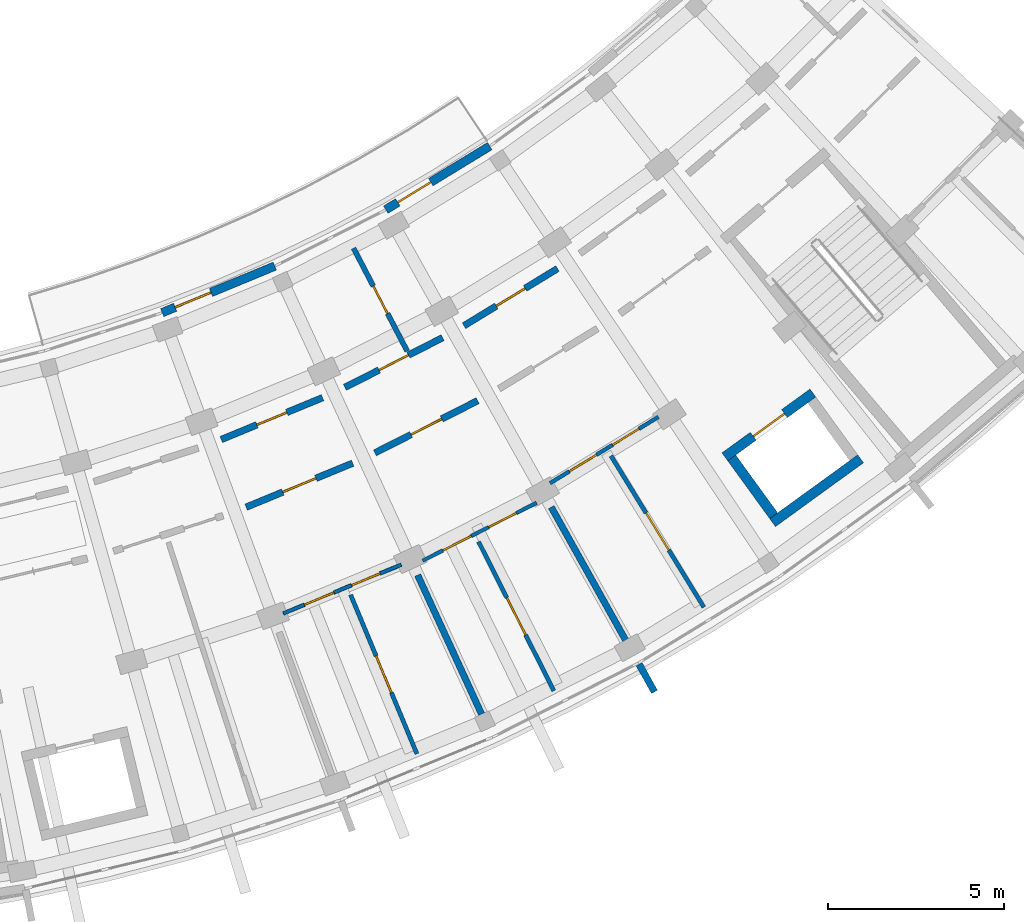
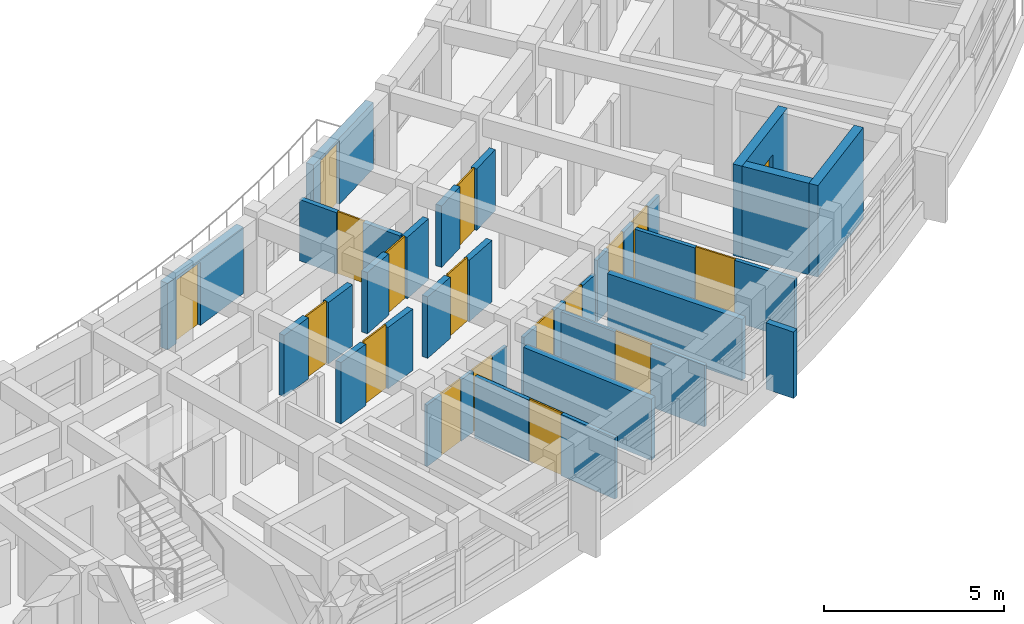
# One storey, part 38 of 56: 20 walls, 18 doors, 18 openings.
"""IFC4 building model written with IfcOpenShell, lengths in metres."""

import ifcopenshell
import ifcopenshell.guid

model = None  # the IFC model being written
_history = None  # IfcOwnerHistory: only IFC2X3 demands one
_inside = {}  # id of a spatial element -> (the spatial element, [elements in it])
_under = {}  # id of a project, library or spatial element -> (it, [spatial elements below it])
_declared = {}  # id of a project -> (the project, [libraries it declares])
_typed = {}  # id of a type object -> (the type object, [elements of that type])
_made_of = {}  # id of a material, layer set ... -> (it, [elements and type objects made of it])


def new_model(schema):
    """Start an empty IFC model of exactly this schema.

    Asked for "IFC4X3", IfcOpenShell would pick the latest addendum, in which some entities
    have other attributes; the version numbers below select the first issue.
    IFC2X3 requires an IfcOwnerHistory on every rooted entity: one is made here for all.
    """
    global model, _history
    if schema == "IFC4X3":
        model = ifcopenshell.file(schema_version=(4, 3, 0, 0))
    else:
        model = ifcopenshell.file(schema=schema)
    _inside.clear()
    _under.clear()
    _declared.clear()
    _typed.clear()
    _made_of.clear()
    _history = None
    if model.schema == "IFC2X3":
        org = make("IfcOrganization", Name="unknown")
        user = make(
            "IfcPersonAndOrganization",
            ThePerson=make("IfcPerson", FamilyName="unknown"),
            TheOrganization=org,
        )
        app = make(
            "IfcApplication",
            ApplicationDeveloper=org,
            Version="unknown",
            ApplicationFullName="unknown",
            ApplicationIdentifier="unknown",
        )
        _history = make(
            "IfcOwnerHistory",
            OwningUser=user,
            OwningApplication=app,
            ChangeAction="ADDED",
            CreationDate=0,
        )
    return model


def make(cls, **values):
    """One entity of the class cls with the attributes given. An attribute that is None is left unset."""
    return model.create_entity(
        cls, **{name: value for name, value in values.items() if value is not None}
    )


def rooted(cls, **values):
    """An entity with a GlobalId (a new one), such as an element, a storey or a relation."""
    return make(cls, GlobalId=ifcopenshell.guid.new(), OwnerHistory=_history, **values)


def si_unit(unit_type, name, prefix=None):
    """IfcSIUnit, for example si_unit("LENGTHUNIT", "METRE", prefix="MILLI")."""
    return make("IfcSIUnit", UnitType=unit_type, Prefix=prefix, Name=name)


def assignment(units):
    """IfcUnitAssignment: the units of a project."""
    return None if units is None else make("IfcUnitAssignment", Units=units)


def point(xyz):
    """IfcCartesianPoint."""
    return None if xyz is None else make("IfcCartesianPoint", Coordinates=xyz)


def direction(xyz):
    """IfcDirection."""
    return None if xyz is None else make("IfcDirection", DirectionRatios=xyz)


def frame(location, z_axis=None, x_axis=None):
    """IfcAxis2Placement3D, a coordinate frame: its origin and axes. An axis left out is left unset."""
    return make(
        "IfcAxis2Placement3D",
        Location=point(location),
        Axis=direction(z_axis),
        RefDirection=direction(x_axis),
    )


def frame_2d(location, x_axis=None):
    """IfcAxis2Placement2D, a coordinate frame in the plane: its origin and x axis."""
    return make(
        "IfcAxis2Placement2D", Location=point(location), RefDirection=direction(x_axis)
    )


def origin():
    """The frame at (0, 0, 0) with its axes left unset."""
    return frame((0.0, 0.0, 0.0))


def place(relative_to, where):
    """IfcLocalPlacement: puts the frame where relative to a parent placement (None: the world)."""
    return make(
        "IfcLocalPlacement", PlacementRelTo=relative_to, RelativePlacement=where
    )


def context(
    kind, dimensions, precision=None, world=None, true_north=None, identifier=None
):
    """IfcGeometricRepresentationContext, for example the 3D "Model" context."""
    return make(
        "IfcGeometricRepresentationContext",
        ContextIdentifier=identifier,
        ContextType=kind,
        CoordinateSpaceDimension=dimensions,
        Precision=precision,
        WorldCoordinateSystem=world,
        TrueNorth=true_north,
    )


def subcontext(parent, identifier, kind, view, scale=None):
    """IfcGeometricRepresentationSubContext, for example "Body" below "Model"."""
    return make(
        "IfcGeometricRepresentationSubContext",
        ContextIdentifier=identifier,
        ContextType=kind,
        ParentContext=parent,
        TargetScale=scale,
        TargetView=view,
    )


def project(units=None, contexts=None):
    """IfcProject with its units and contexts."""
    return rooted(
        "IfcProject",
        Name="project",
        RepresentationContexts=contexts,
        UnitsInContext=assignment(units),
    )


def spatial(cls, under=None, at=None, **own):
    """A site, building, storey or space (cls), placed at a placement, below another one or the project."""
    s = rooted(cls, ObjectPlacement=at, **own)
    if under is not None:
        _under.setdefault(under.id(), (under, []))[1].append(s)
    return s


def profile(cls, at=None, kind="AREA", **sizes):
    """A parametric profile (cls). Its sizes go by their IFC names, for example OverallWidth=200.0."""
    return make(cls, ProfileType=kind, Position=at, **sizes)


def rectangle(**sizes):
    """IfcRectangleProfileDef."""
    return profile("IfcRectangleProfileDef", **sizes)


def extrude(swept, where, along, depth):
    """IfcExtrudedAreaSolid: the profile swept, set in the frame where, extruded along a direction by depth."""
    return make(
        "IfcExtrudedAreaSolid",
        SweptArea=swept,
        Position=where,
        ExtrudedDirection=direction(along),
        Depth=depth,
    )


def shape(context_of_items, identifier, shape_type, items):
    """IfcShapeRepresentation: the items that make up one representation, for example the "Body"."""
    return make(
        "IfcShapeRepresentation",
        ContextOfItems=context_of_items,
        RepresentationIdentifier=identifier,
        RepresentationType=shape_type,
        Items=items,
    )


def material(Name=None, Category=None):
    """IfcMaterial."""
    return make("IfcMaterial", Name=Name, Category=Category)


def layer(
    of_material, thickness, ventilated=None, Name=None, Category=None, Priority=None
):
    """IfcMaterialLayer: one layer of a wall or slab, of a material (None: an air gap)."""
    return make(
        "IfcMaterialLayer",
        Material=of_material,
        LayerThickness=thickness,
        IsVentilated=ventilated,
        Name=Name,
        Category=Category,
        Priority=Priority,
    )


def layer_set(layers, Name=None):
    """IfcMaterialLayerSet."""
    return make("IfcMaterialLayerSet", MaterialLayers=layers, LayerSetName=Name)


def made_of(thing, what):
    """Note that an element or type object is made of a material, layer set ...; save() writes the relation."""
    if what is not None:
        _made_of.setdefault(what.id(), (what, []))[1].append(thing)
    return thing


def type_object(cls, material=None, **own):
    """A type object (cls), such as IfcWallType, which elements share."""
    return made_of(rooted(cls, **own), material)


def element(
    cls,
    number,
    at=None,
    inside=None,
    cuts=None,
    type_object=None,
    material=None,
    context=None,
    identifier="Body",
    shape_type=None,
    held_by="IfcProductDefinitionShape",
    body=None,
    shapes=None,
    **own,
):
    """One element of the class cls, such as IfcWall. Its Tag is "e" and its number.

    at: its placement. inside: the storey or other place that contains it. cuts: it is an
    opening in that element (IfcRelVoidsElement). A single representation is given by context,
    identifier, shape_type and body (its items); several are given by shapes. held_by: the class
    of the entity that holds the representations. save() writes the other relations.
    """
    e = rooted(cls, Tag="e%d" % number, ObjectPlacement=at, **own)
    if body is not None:
        shapes = [shape(context, identifier, shape_type, body)]
    if shapes is not None:
        e.Representation = make(held_by, Representations=shapes)
    if inside is not None:
        _inside.setdefault(inside.id(), (inside, []))[1].append(e)
    if cuts is not None:
        rooted(
            "IfcRelVoidsElement", RelatingBuildingElement=cuts, RelatedOpeningElement=e
        )
    if type_object is not None:
        _typed.setdefault(type_object.id(), (type_object, []))[1].append(e)
    return made_of(e, material)


def fill(opening, filler):
    """IfcRelFillsElement: the door or window that sits in an opening."""
    return rooted(
        "IfcRelFillsElement",
        RelatingOpeningElement=opening,
        RelatedBuildingElement=filler,
    )


def aggregate(whole, parts):
    """IfcRelAggregates: a whole, such as a stair, and the parts it consists of."""
    return rooted("IfcRelAggregates", RelatingObject=whole, RelatedObjects=parts)


def save(model, path):
    """Write the relations noted so far, then the file.

    IfcRelAggregates (storeys below a building ...), IfcRelContainedInSpatialStructure (elements
    in a storey), IfcRelDefinesByType, IfcRelAssociatesMaterial and IfcRelDeclares: one each for
    every whole, place, type object, material and project.
    """
    for whole, parts in _under.values():
        aggregate(whole, parts)
    for where, things in _inside.values():
        rooted(
            "IfcRelContainedInSpatialStructure",
            RelatedElements=things,
            RelatingStructure=where,
        )
    for kind, things in _typed.values():
        rooted("IfcRelDefinesByType", RelatedObjects=things, RelatingType=kind)
    for what, things in _made_of.values():
        rooted("IfcRelAssociatesMaterial", RelatedObjects=things, RelatingMaterial=what)
    for by, libraries in _declared.values():
        rooted("IfcRelDeclares", RelatingContext=by, RelatedDefinitions=libraries)
    model.write(path)


model = new_model("IFC4")

# Units and contexts
model_context = context("Model", 3, precision=1e-05, world=origin(), true_north=direction((0.0, 1.0)))
body_context = subcontext(model_context, "Body", "Model", "MODEL_VIEW")
ifc_project = project(units=[si_unit("LENGTHUNIT", "METRE"), si_unit("AREAUNIT", "SQUARE_METRE"), si_unit("VOLUMEUNIT", "CUBIC_METRE"), si_unit("PLANEANGLEUNIT", "RADIAN"), si_unit("MASSUNIT", "GRAM", prefix="KILO")], contexts=[model_context])

# Site, building, storey
site_placement = place(None, origin())
site = spatial("IfcSite", under=ifc_project, at=site_placement, CompositionType="ELEMENT")
building_placement = place(site_placement, origin())
building = spatial("IfcBuilding", under=site, at=building_placement, Name="Zimvara Arc Housing Community", CompositionType="ELEMENT")
storey_placement = place(building_placement, frame((0.0, 0.0, 17.39990234375)))
storey = spatial("IfcBuildingStorey", under=building, at=storey_placement, Name="L05", CompositionType="ELEMENT", Elevation=17.39990234375)

# Wall
ifc_material_1 = material(Name="Board-Marked Fair-Faced Concrete C35/45", Category="concrete")
ifc_layer_1 = layer(ifc_material_1, 0.195068359375)
ifc_layer_set_1 = layer_set([ifc_layer_1], Name="Board-Marked Fair-Faced Concrete C35/45")
wall_type_1 = type_object("IfcWallType", Name="EWL-PARA-195", PredefinedType="PARAPET", material=ifc_layer_set_1)
wall_1_placement = place(storey_placement, frame((154.968505859375, 57.990966796875, 0.0), z_axis=(0.0, 0.0, 1.0), x_axis=(0.487967253808, -0.872861935939, 0.0)))
element("IfcWall", 1, at=wall_1_placement, inside=storey, type_object=wall_type_1, Name="finwall:blkD:L05:out:b6", PredefinedType="PARAPET", context=body_context, shape_type="SweptSolid", body=[
    extrude(rectangle(XDim=0.900146484375, YDim=0.195068359375, at=frame_2d((0.4501953125, 0.0))), origin(), (0.0, 0.0, 1.0), 2.25),
])

# Wall, opening, door
ifc_material_2 = material(Name="Pigmented Fair-Faced Concrete C35/45", Category="concrete")
ifc_layer_2 = layer(ifc_material_2, 0.2451171875)
ifc_layer_set_2 = layer_set([ifc_layer_2], Name="Pigmented Fair-Faced Concrete C35/45")
wall_type_2 = type_object("IfcWallType", Name="EWL-PIGM-245", PredefinedType="SOLIDWALL", material=ifc_layer_set_2)
wall_2_placement = place(storey_placement, frame((141.40576171875, 67.9921875, 0.0), z_axis=(0.0, 0.0, 1.0), x_axis=(0.924221949388, 0.381855716561, 0.0)))
wall_2 = element("IfcWall", 2, at=wall_2_placement, inside=storey, type_object=wall_type_2, Name="ewall:blkD:L05:in:b4", PredefinedType="SOLIDWALL", context=body_context, shape_type="SweptSolid", body=[
    extrude(rectangle(XDim=3.46337890625, YDim=0.2451171875, at=frame_2d((1.731689453125, 0.0))), origin(), (0.0, 0.0, 1.0), 2.25),
])
opening_1_placement = place(wall_2_placement, frame((0.39990234375, 0.0, 0.0)))
opening_1 = element("IfcOpeningElement", 3, at=opening_1_placement, cuts=wall_2, Name="Opening ED06", PredefinedType="OPENING", context=body_context, shape_type="SweptSolid", body=[
    extrude(rectangle(XDim=1.10009765625, YDim=2.14990234375, at=frame_2d((0.550048828125, 1.074951171875))), frame((0.0, 0.132568359375, 0.0), z_axis=(0.0, -1.0, 0.0), x_axis=(1.0, 0.0, 0.0)), (0.0, 0.0, 1.0), 0.26513671875),
])
ifc_material_3 = material(Name="Anodised Aluminium AW-6063", Category="aluminium")
door_type_1 = type_object("IfcDoorType", Name="EDR-TERR-1100x2150", OperationType="NOTDEFINED", PredefinedType="DOOR", material=ifc_material_3)
door_1_placement = place(opening_1_placement, origin())
door_1 = element("IfcDoor", 4, at=door_1_placement, inside=storey, type_object=door_type_1, Name="edoor:blkD:L05:bal_in:b4", OperationType="SINGLE_SWING_RIGHT", OverallHeight=2.14990234375, OverallWidth=1.10009765625, PredefinedType="DOOR", context=body_context, shape_type="SweptSolid", body=[
    extrude(rectangle(XDim=1.10009765625, YDim=2.14990234375, at=frame_2d((0.550048828125, 1.074951171875))), frame((0.0, 0.02490234375, 0.0), z_axis=(0.0, -1.0, 0.0), x_axis=(1.0, 0.0, 0.0)), (0.0, 0.0, 1.0), 0.050048828125),
])
fill(opening_1, door_1)

wall_3_placement = place(storey_placement, frame((147.765380859375, 70.920654296875, 0.0), z_axis=(0.0, 0.0, 1.0), x_axis=(0.85310231885, 0.521743647371, 0.0)))
wall_3 = element("IfcWall", 5, at=wall_3_placement, inside=storey, type_object=wall_type_2, Name="ewall:blkD:L05:in:b6", PredefinedType="SOLIDWALL", context=body_context, shape_type="SweptSolid", body=[
    extrude(rectangle(XDim=3.463623046875, YDim=0.2451171875, at=frame_2d((1.73193359375, 0.0))), origin(), (0.0, 0.0, 1.0), 2.25),
])
opening_2_placement = place(wall_3_placement, frame((0.39990234375, 0.0, 0.0)))
opening_2 = element("IfcOpeningElement", 6, at=opening_2_placement, cuts=wall_3, Name="Opening ED06", PredefinedType="OPENING", context=body_context, shape_type="SweptSolid", body=[
    extrude(rectangle(XDim=1.10009765625, YDim=2.14990234375, at=frame_2d((0.550048828125, 1.074951171875))), frame((0.0, 0.132568359375, 0.0), z_axis=(0.0, -1.0, 0.0), x_axis=(1.0, 0.0, 0.0)), (0.0, 0.0, 1.0), 0.26513671875),
])
door_2_placement = place(opening_2_placement, origin())
door_2 = element("IfcDoor", 7, at=door_2_placement, inside=storey, type_object=door_type_1, Name="edoor:blkD:L05:bal_in:b6", OperationType="SINGLE_SWING_RIGHT", OverallHeight=2.14990234375, OverallWidth=1.10009765625, PredefinedType="DOOR", context=body_context, shape_type="SweptSolid", body=[
    extrude(rectangle(XDim=1.10009765625, YDim=2.14990234375, at=frame_2d((0.550048828125, 1.074951171875))), frame((0.0, 0.02490234375, 0.0), z_axis=(0.0, -1.0, 0.0), x_axis=(1.0, 0.0, 0.0)), (0.0, 0.0, 1.0), 0.050048828125),
])
fill(opening_2, door_2)

ifc_material_4 = material(Name="Concrete C35/45", Category="concrete")
ifc_layer_3 = layer(ifc_material_4, 0.18994140625)
ifc_layer_set_3 = layer_set([ifc_layer_3], Name="Concrete C35/45")
wall_type_3 = type_object("IfcWallType", Name="IWL-CORR-190", PredefinedType="SOLIDWALL", material=ifc_layer_set_3)
wall_4_placement = place(storey_placement, frame((143.792724609375, 62.458984375, 0.0), z_axis=(0.0, 0.0, 1.0), x_axis=(0.924214561665, 0.381873596896, 0.0)))
wall_4 = element("IfcWall", 8, at=wall_4_placement, inside=storey, type_object=wall_type_3, Name="iwall:blkD:L05:corr_out:b4", PredefinedType="SOLIDWALL", context=body_context, shape_type="SweptSolid", body=[
    extrude(rectangle(XDim=3.277099609375, YDim=0.18994140625, at=frame_2d((1.638671875, 0.0))), origin(), (0.0, 0.0, 1.0), 2.080078125),
])
opening_3_placement = place(wall_4_placement, frame((1.12841796875, 0.0, 0.0)))
opening_3 = element("IfcOpeningElement", 9, at=opening_3_placement, cuts=wall_4, Name="Opening FD-FL2", PredefinedType="OPENING", context=body_context, shape_type="SweptSolid", body=[
    extrude(rectangle(XDim=1.02001953125, YDim=2.14990234375, at=frame_2d((0.510009765625, 1.074951171875))), frame((0.0, 0.10498046875, 0.0), z_axis=(0.0, -1.0, 0.0), x_axis=(1.0, 0.0, 0.0)), (0.0, 0.0, 1.0), 0.2099609375),
])
ifc_material_5 = material(Name="Mozambican Hardwood", Category="wood")
door_type_2 = type_object("IfcDoorType", Name="IDR-FLAT-1020x2150", OperationType="NOTDEFINED", PredefinedType="DOOR", material=ifc_material_5)
door_3_placement = place(opening_3_placement, origin())
door_3 = element("IfcDoor", 10, at=door_3_placement, inside=storey, type_object=door_type_2, Name="idoor:blkD:L05:flat:b4", OperationType="SINGLE_SWING_RIGHT", OverallHeight=2.14990234375, OverallWidth=1.02001953125, PredefinedType="DOOR", context=body_context, shape_type="SweptSolid", body=[
    extrude(rectangle(XDim=1.02001953125, YDim=2.14990234375, at=frame_2d((0.510009765625, 1.074951171875))), frame((0.0, 0.02490234375, 0.0), z_axis=(0.0, -1.0, 0.0), x_axis=(1.0, 0.0, 0.0)), (0.0, 0.0, 1.0), 0.050048828125),
])
fill(opening_3, door_3)

wall_5_placement = place(storey_placement, frame((143.0849609375, 64.3828125, 0.0), z_axis=(0.0, 0.0, 1.0), x_axis=(0.924213340202, 0.381876553081, 0.0)))
wall_5 = element("IfcWall", 11, at=wall_5_placement, inside=storey, type_object=wall_type_3, Name="iwall:blkD:L05:corr_in:b4", PredefinedType="SOLIDWALL", context=body_context, shape_type="SweptSolid", body=[
    extrude(rectangle(XDim=3.115966796875, YDim=0.18994140625, at=frame_2d((1.55810546875, 0.0))), origin(), (0.0, 0.0, 1.0), 2.080078125),
])
opening_4_placement = place(wall_5_placement, frame((1.097900390625, 0.0, 0.0)))
opening_4 = element("IfcOpeningElement", 12, at=opening_4_placement, cuts=wall_5, Name="Opening D02", PredefinedType="OPENING", context=body_context, shape_type="SweptSolid", body=[
    extrude(rectangle(XDim=0.919921875, YDim=2.10009765625, at=frame_2d((0.4599609375, 1.050048828125))), frame((0.0, 0.10498046875, 0.0), z_axis=(0.0, -1.0, 0.0), x_axis=(1.0, 0.0, 0.0)), (0.0, 0.0, 1.0), 0.2099609375),
])
ifc_material_6 = material(Name="Mozambican Hardwood", Category="wood")
door_type_3 = type_object("IfcDoorType", Name="IDR-RM-0920x2100", OperationType="NOTDEFINED", PredefinedType="DOOR", material=ifc_material_6)
door_4_placement = place(opening_4_placement, origin())
door_4 = element("IfcDoor", 13, at=door_4_placement, inside=storey, type_object=door_type_3, Name="idoor:blkD:L05:in_rm:b4", OperationType="SINGLE_SWING_LEFT", OverallHeight=2.10009765625, OverallWidth=0.919921875, PredefinedType="DOOR", context=body_context, shape_type="SweptSolid", body=[
    extrude(rectangle(XDim=0.919921875, YDim=2.10009765625, at=frame_2d((0.4599609375, 1.050048828125))), frame((0.0, 0.02490234375, 0.0), z_axis=(0.0, -1.0, 0.0), x_axis=(1.0, 0.0, 0.0)), (0.0, 0.0, 1.0), 0.050048828125),
])
fill(opening_4, door_4)

wall_6_placement = place(storey_placement, frame((147.45703125, 64.002685546875, 0.0), z_axis=(0.0, 0.0, 1.0), x_axis=(0.891412167565, 0.45319349898, 0.0)))
wall_6 = element("IfcWall", 14, at=wall_6_placement, inside=storey, type_object=wall_type_3, Name="iwall:blkD:L05:corr_out:b5", PredefinedType="SOLIDWALL", context=body_context, shape_type="SweptSolid", body=[
    extrude(rectangle(XDim=3.277099609375, YDim=0.18994140625, at=frame_2d((1.638671875, 0.0))), origin(), (0.0, 0.0, 1.0), 2.080078125),
])
opening_5_placement = place(wall_6_placement, frame((1.1484375, 0.0, 0.0)))
opening_5 = element("IfcOpeningElement", 15, at=opening_5_placement, cuts=wall_6, Name="Opening FD-FL1", PredefinedType="OPENING", context=body_context, shape_type="SweptSolid", body=[
    extrude(rectangle(XDim=0.97998046875, YDim=2.14990234375, at=frame_2d((0.489990234375, 1.074951171875))), frame((0.0, 0.10498046875, 0.0), z_axis=(0.0, -1.0, 0.0), x_axis=(1.0, 0.0, 0.0)), (0.0, 0.0, 1.0), 0.2099609375),
])
ifc_material_7 = material(Name="Mozambican Hardwood", Category="wood")
door_type_4 = type_object("IfcDoorType", Name="IDR-FLAT-0980x2150", OperationType="NOTDEFINED", PredefinedType="DOOR", material=ifc_material_7)
door_5_placement = place(opening_5_placement, origin())
door_5 = element("IfcDoor", 16, at=door_5_placement, inside=storey, type_object=door_type_4, Name="idoor:blkD:L05:flat:b5", OperationType="SINGLE_SWING_LEFT", OverallHeight=2.14990234375, OverallWidth=0.97998046875, PredefinedType="DOOR", context=body_context, shape_type="SweptSolid", body=[
    extrude(rectangle(XDim=0.97998046875, YDim=2.14990234375, at=frame_2d((0.489990234375, 1.074951171875))), frame((0.0, 0.02490234375, 0.0), z_axis=(0.0, -1.0, 0.0), x_axis=(1.0, 0.0, 0.0)), (0.0, 0.0, 1.0), 0.050048828125),
])
fill(opening_5, door_5)

wall_7_placement = place(storey_placement, frame((146.600341796875, 65.865234375, 0.0), z_axis=(0.0, 0.0, 1.0), x_axis=(0.891414101388, 0.453189695212, 0.0)))
wall_7 = element("IfcWall", 17, at=wall_7_placement, inside=storey, type_object=wall_type_3, Name="iwall:blkD:L05:corr_in:b5", PredefinedType="SOLIDWALL", context=body_context, shape_type="SweptSolid", body=[
    extrude(rectangle(XDim=3.115966796875, YDim=0.18994140625, at=frame_2d((1.55810546875, 0.0))), origin(), (0.0, 0.0, 1.0), 2.080078125),
])
opening_6_placement = place(wall_7_placement, frame((1.087890625, 0.0, 0.0)))
opening_6 = element("IfcOpeningElement", 18, at=opening_6_placement, cuts=wall_7, Name="Opening D03", PredefinedType="OPENING", context=body_context, shape_type="SweptSolid", body=[
    extrude(rectangle(XDim=0.93994140625, YDim=2.10009765625, at=frame_2d((0.469970703125, 1.050048828125))), frame((0.0, 0.10498046875, 0.0), z_axis=(0.0, -1.0, 0.0), x_axis=(1.0, 0.0, 0.0)), (0.0, 0.0, 1.0), 0.2099609375),
])
ifc_material_8 = material(Name="Mozambican Hardwood", Category="wood")
door_type_5 = type_object("IfcDoorType", Name="IDR-RM-0940x2100", OperationType="NOTDEFINED", PredefinedType="DOOR", material=ifc_material_8)
door_6_placement = place(opening_6_placement, origin())
door_6 = element("IfcDoor", 19, at=door_6_placement, inside=storey, type_object=door_type_5, Name="idoor:blkD:L05:in_rm:b5", OperationType="SINGLE_SWING_RIGHT", OverallHeight=2.10009765625, OverallWidth=0.93994140625, PredefinedType="DOOR", context=body_context, shape_type="SweptSolid", body=[
    extrude(rectangle(XDim=0.93994140625, YDim=2.10009765625, at=frame_2d((0.469970703125, 1.050048828125))), frame((0.0, 0.02490234375, 0.0), z_axis=(0.0, -1.0, 0.0), x_axis=(1.0, 0.0, 0.0)), (0.0, 0.0, 1.0), 0.050048828125),
])
fill(opening_6, door_6)

wall_8_placement = place(storey_placement, frame((149.988525390625, 67.61865234375, 0.0), z_axis=(0.0, 0.0, 1.0), x_axis=(0.853121049608, 0.5217130195, 0.0)))
wall_8 = element("IfcWall", 20, at=wall_8_placement, inside=storey, type_object=wall_type_3, Name="iwall:blkD:L05:corr_in:b6", PredefinedType="SOLIDWALL", context=body_context, shape_type="SweptSolid", body=[
    extrude(rectangle(XDim=3.1162109375, YDim=0.18994140625, at=frame_2d((1.55810546875, 0.0))), origin(), (0.0, 0.0, 1.0), 2.080078125),
])
opening_7_placement = place(wall_8_placement, frame((1.077880859375, 0.0, 0.0)))
opening_7 = element("IfcOpeningElement", 21, at=opening_7_placement, cuts=wall_8, Name="Opening D04", PredefinedType="OPENING", context=body_context, shape_type="SweptSolid", body=[
    extrude(rectangle(XDim=0.9599609375, YDim=2.10009765625, at=frame_2d((0.47998046875, 1.050048828125))), frame((0.0, 0.10498046875, 0.0), z_axis=(0.0, -1.0, 0.0), x_axis=(1.0, 0.0, 0.0)), (0.0, 0.0, 1.0), 0.2099609375),
])
ifc_material_9 = material(Name="Mozambican Hardwood", Category="wood")
door_type_6 = type_object("IfcDoorType", Name="IDR-RM-0960x2100", OperationType="NOTDEFINED", PredefinedType="DOOR", material=ifc_material_9)
door_7_placement = place(opening_7_placement, origin())
door_7 = element("IfcDoor", 22, at=door_7_placement, inside=storey, type_object=door_type_6, Name="idoor:blkD:L05:in_rm:b6", OperationType="SINGLE_SWING_RIGHT", OverallHeight=2.10009765625, OverallWidth=0.9599609375, PredefinedType="DOOR", context=body_context, shape_type="SweptSolid", body=[
    extrude(rectangle(XDim=0.9599609375, YDim=2.10009765625, at=frame_2d((0.47998046875, 1.050048828125))), frame((0.0, 0.02490234375, 0.0), z_axis=(0.0, -1.0, 0.0), x_axis=(1.0, 0.0, 0.0)), (0.0, 0.0, 1.0), 0.050048828125),
])
fill(opening_7, door_7)

# Walls
ifc_material_10 = material(Name="Concrete C35/45", Category="concrete")
ifc_layer_4 = layer(ifc_material_10, 0.18505859375)
ifc_layer_set_4 = layer_set([ifc_layer_4], Name="Concrete C35/45")
wall_type_4 = type_object("IfcWallType", Name="IWL-FLAT-185", PredefinedType="SOLIDWALL", material=ifc_layer_set_4)
for number, where, z_axis, x_axis, name in (
    (23, (148.670166015625, 60.528076171875, 0.0), (0.0, 0.0, 1.0), (0.417837051164, -0.908521985796, 0.0), "iwall:blkD:L05:party:b5"),
    (24, (152.470703125, 62.46044921875, 0.0), (0.0, 0.0, 1.0), (0.487866639184, -0.872918176218, 0.0), "iwall:blkD:L05:party:b6"),
):
    element("IfcWall", number, at=place(storey_placement, frame(where, z_axis=z_axis, x_axis=x_axis)), inside=storey, type_object=wall_type_4, Name=name, PredefinedType="SOLIDWALL", context=body_context, shape_type="SweptSolid", body=[
        extrude(rectangle(XDim=4.35009765625, YDim=0.18505859375, at=frame_2d((2.175048828125, 0.0))), origin(), (0.0, 0.0, 1.0), 2.080078125),
    ])

# Wall, openings, doors
ifc_material_11 = material(Name="Painted Acoustic Plasterboard")
ifc_layer_5 = layer(ifc_material_11, 0.10009765625)
ifc_layer_set_5 = layer_set([ifc_layer_5], Name="Painted Acoustic Plasterboard")
wall_type_5 = type_object("IfcWallType", Name="IWL-PART-100", PredefinedType="PARTITIONING", material=ifc_layer_set_5)
wall_9_placement = place(storey_placement, frame((144.8515625, 59.436767578125, 0.0), z_axis=(0.0, 0.0, 1.0), x_axis=(0.924217547919, 0.381866369453, 0.0)))
wall_9 = element("IfcWall", 25, at=wall_9_placement, inside=storey, type_object=wall_type_5, Name="iwall:blkD:L05:srv:b4", PredefinedType="PARTITIONING", context=body_context, shape_type="SweptSolid", body=[
    extrude(rectangle(XDim=3.628173828125, YDim=0.10009765625, at=frame_2d((1.81396484375, 0.0))), origin(), (0.0, 0.0, 1.0), 2.080078125),
])
opening_8_placement = place(wall_9_placement, frame((0.64990234375, 0.0, 0.0)))
opening_8 = element("IfcOpeningElement", 26, at=opening_8_placement, cuts=wall_9, Name="Opening D01", PredefinedType="OPENING", context=body_context, shape_type="SweptSolid", body=[
    extrude(rectangle(XDim=0.89990234375, YDim=2.10009765625, at=frame_2d((0.449951171875, 1.050048828125))), frame((0.0, 0.06005859375, 0.0), z_axis=(0.0, -1.0, 0.0), x_axis=(1.0, 0.0, 0.0)), (0.0, 0.0, 1.0), 0.1201171875),
])
opening_9_placement = place(wall_9_placement, frame((2.098388671875, 0.0, 0.0)))
opening_9 = element("IfcOpeningElement", 27, at=opening_9_placement, cuts=wall_9, Name="Opening D05", PredefinedType="OPENING", context=body_context, shape_type="SweptSolid", body=[
    extrude(rectangle(XDim=0.8798828125, YDim=2.10009765625, at=frame_2d((0.43994140625, 1.050048828125))), frame((0.0, 0.06005859375, 0.0), z_axis=(0.0, -1.0, 0.0), x_axis=(1.0, 0.0, 0.0)), (0.0, 0.0, 1.0), 0.1201171875),
])
ifc_material_12 = material(Name="Mozambican Hardwood", Category="wood")
door_type_7 = type_object("IfcDoorType", Name="IDR-RM-0900x2100", OperationType="NOTDEFINED", PredefinedType="DOOR", material=ifc_material_12)
door_8_placement = place(opening_8_placement, origin())
door_8 = element("IfcDoor", 28, at=door_8_placement, inside=storey, type_object=door_type_7, Name="idoor:blkD:L05:kit_liv:b4", OperationType="SINGLE_SWING_RIGHT", OverallHeight=2.10009765625, OverallWidth=0.89990234375, PredefinedType="DOOR", context=body_context, shape_type="SweptSolid", body=[
    extrude(rectangle(XDim=0.89990234375, YDim=2.10009765625, at=frame_2d((0.449951171875, 1.050048828125))), frame((0.0, 0.02490234375, 0.0), z_axis=(0.0, -1.0, 0.0), x_axis=(1.0, 0.0, 0.0)), (0.0, 0.0, 1.0), 0.050048828125),
])
fill(opening_8, door_8)
ifc_material_13 = material(Name="Mozambican Hardwood", Category="wood")
door_type_8 = type_object("IfcDoorType", Name="IDR-WC-0880x2100", OperationType="NOTDEFINED", PredefinedType="DOOR", material=ifc_material_13)
door_9_placement = place(opening_9_placement, origin())
door_9 = element("IfcDoor", 29, at=door_9_placement, inside=storey, type_object=door_type_8, Name="idoor:blkD:L05:bath_d:b4", OperationType="SINGLE_SWING_LEFT", OverallHeight=2.10009765625, OverallWidth=0.8798828125, PredefinedType="DOOR", context=body_context, shape_type="SweptSolid", body=[
    extrude(rectangle(XDim=0.8798828125, YDim=2.10009765625, at=frame_2d((0.43994140625, 1.050048828125))), frame((0.0, 0.02490234375, 0.0), z_axis=(0.0, -1.0, 0.0), x_axis=(1.0, 0.0, 0.0)), (0.0, 0.0, 1.0), 0.050048828125),
])
fill(opening_9, door_9)

ifc_material_14 = material(Name="Painted Acoustic Plasterboard")
ifc_layer_6 = layer(ifc_material_14, 0.10498046875)
ifc_layer_set_6 = layer_set([ifc_layer_6], Name="Painted Acoustic Plasterboard")
wall_type_6 = type_object("IfcWallType", Name="IWL-PART-105", PredefinedType="PARTITIONING", material=ifc_layer_set_6)
wall_10_placement = place(storey_placement, frame((148.812255859375, 60.9365234375, 0.0), z_axis=(0.0, 0.0, 1.0), x_axis=(0.89140212369, 0.453213254309, 0.0)))
wall_10 = element("IfcWall", 30, at=wall_10_placement, inside=storey, type_object=wall_type_6, Name="iwall:blkD:L05:srv:b5", PredefinedType="PARTITIONING", context=body_context, shape_type="SweptSolid", body=[
    extrude(rectangle(XDim=3.639892578125, YDim=0.10498046875, at=frame_2d((1.81982421875, 0.0))), origin(), (0.0, 0.0, 1.0), 2.080078125),
])
opening_10_placement = place(wall_10_placement, frame((0.64990234375, 0.0, 0.0)))
opening_10 = element("IfcOpeningElement", 31, at=opening_10_placement, cuts=wall_10, Name="Opening D01", PredefinedType="OPENING", context=body_context, shape_type="SweptSolid", body=[
    extrude(rectangle(XDim=0.89990234375, YDim=2.10009765625, at=frame_2d((0.449951171875, 1.050048828125))), frame((0.0, 0.0625, 0.0), z_axis=(0.0, -1.0, 0.0), x_axis=(1.0, 0.0, 0.0)), (0.0, 0.0, 1.0), 0.125),
])
opening_11_placement = place(wall_10_placement, frame((2.110107421875, 0.0, 0.0)))
opening_11 = element("IfcOpeningElement", 32, at=opening_11_placement, cuts=wall_10, Name="Opening D05", PredefinedType="OPENING", context=body_context, shape_type="SweptSolid", body=[
    extrude(rectangle(XDim=0.8798828125, YDim=2.10009765625, at=frame_2d((0.43994140625, 1.050048828125))), frame((0.0, 0.0625, 0.0), z_axis=(0.0, -1.0, 0.0), x_axis=(1.0, 0.0, 0.0)), (0.0, 0.0, 1.0), 0.125),
])
door_10_placement = place(opening_10_placement, origin())
door_10 = element("IfcDoor", 33, at=door_10_placement, inside=storey, type_object=door_type_7, Name="idoor:blkD:L05:kit_liv:b5", OperationType="SINGLE_SWING_RIGHT", OverallHeight=2.10009765625, OverallWidth=0.89990234375, PredefinedType="DOOR", context=body_context, shape_type="SweptSolid", body=[
    extrude(rectangle(XDim=0.89990234375, YDim=2.10009765625, at=frame_2d((0.449951171875, 1.050048828125))), frame((0.0, 0.02490234375, 0.0), z_axis=(0.0, -1.0, 0.0), x_axis=(1.0, 0.0, 0.0)), (0.0, 0.0, 1.0), 0.050048828125),
])
fill(opening_10, door_10)
door_11_placement = place(opening_11_placement, origin())
door_11 = element("IfcDoor", 34, at=door_11_placement, inside=storey, type_object=door_type_8, Name="idoor:blkD:L05:bath_d:b5", OperationType="SINGLE_SWING_LEFT", OverallHeight=2.10009765625, OverallWidth=0.8798828125, PredefinedType="DOOR", context=body_context, shape_type="SweptSolid", body=[
    extrude(rectangle(XDim=0.8798828125, YDim=2.10009765625, at=frame_2d((0.43994140625, 1.050048828125))), frame((0.0, 0.02490234375, 0.0), z_axis=(0.0, -1.0, 0.0), x_axis=(1.0, 0.0, 0.0)), (0.0, 0.0, 1.0), 0.050048828125),
])
fill(opening_11, door_11)

ifc_material_15 = material(Name="Painted Acoustic Plasterboard")
ifc_layer_7 = layer(ifc_material_15, 0.110107421875)
ifc_layer_set_7 = layer_set([ifc_layer_7], Name="Painted Acoustic Plasterboard")
wall_type_7 = type_object("IfcWallType", Name="IWL-PART-110", PredefinedType="PARTITIONING", material=ifc_layer_set_7)
wall_11_placement = place(storey_placement, frame((152.43408203125, 63.140625, 0.0), z_axis=(0.0, 0.0, 1.0), x_axis=(0.853089873067, 0.521763996909, 0.0)))
wall_11 = element("IfcWall", 35, at=wall_11_placement, inside=storey, type_object=wall_type_7, Name="iwall:blkD:L05:srv:b6", PredefinedType="PARTITIONING", context=body_context, shape_type="SweptSolid", body=[
    extrude(rectangle(XDim=3.616455078125, YDim=0.110107421875, at=frame_2d((1.80810546875, 0.0))), origin(), (0.0, 0.0, 1.0), 2.080078125),
])
opening_12_placement = place(wall_11_placement, frame((0.64990234375, 0.0, 0.0)))
opening_12 = element("IfcOpeningElement", 36, at=opening_12_placement, cuts=wall_11, Name="Opening D01", PredefinedType="OPENING", context=body_context, shape_type="SweptSolid", body=[
    extrude(rectangle(XDim=0.89990234375, YDim=2.10009765625, at=frame_2d((0.449951171875, 1.050048828125))), frame((0.0, 0.06494140625, 0.0), z_axis=(0.0, -1.0, 0.0), x_axis=(1.0, 0.0, 0.0)), (0.0, 0.0, 1.0), 0.130126953125),
])
opening_13_placement = place(wall_11_placement, frame((2.08642578125, 0.0, 0.0)))
opening_13 = element("IfcOpeningElement", 37, at=opening_13_placement, cuts=wall_11, Name="Opening D05", PredefinedType="OPENING", context=body_context, shape_type="SweptSolid", body=[
    extrude(rectangle(XDim=0.8798828125, YDim=2.10009765625, at=frame_2d((0.43994140625, 1.050048828125))), frame((0.0, 0.06494140625, 0.0), z_axis=(0.0, -1.0, 0.0), x_axis=(1.0, 0.0, 0.0)), (0.0, 0.0, 1.0), 0.130126953125),
])
door_12_placement = place(opening_12_placement, origin())
door_12 = element("IfcDoor", 38, at=door_12_placement, inside=storey, type_object=door_type_7, Name="idoor:blkD:L05:kit_liv:b6", OperationType="SINGLE_SWING_LEFT", OverallHeight=2.10009765625, OverallWidth=0.89990234375, PredefinedType="DOOR", context=body_context, shape_type="SweptSolid", body=[
    extrude(rectangle(XDim=0.89990234375, YDim=2.10009765625, at=frame_2d((0.449951171875, 1.050048828125))), frame((0.0, 0.02490234375, 0.0), z_axis=(0.0, -1.0, 0.0), x_axis=(1.0, 0.0, 0.0)), (0.0, 0.0, 1.0), 0.050048828125),
])
fill(opening_12, door_12)
door_13_placement = place(opening_13_placement, origin())
door_13 = element("IfcDoor", 39, at=door_13_placement, inside=storey, type_object=door_type_8, Name="idoor:blkD:L05:bath_d:b6", OperationType="SINGLE_SWING_RIGHT", OverallHeight=2.10009765625, OverallWidth=0.8798828125, PredefinedType="DOOR", context=body_context, shape_type="SweptSolid", body=[
    extrude(rectangle(XDim=0.8798828125, YDim=2.10009765625, at=frame_2d((0.43994140625, 1.050048828125))), frame((0.0, 0.02490234375, 0.0), z_axis=(0.0, -1.0, 0.0), x_axis=(1.0, 0.0, 0.0)), (0.0, 0.0, 1.0), 0.050048828125),
])
fill(opening_13, door_13)

# Wall, opening, door
ifc_material_16 = material(Name="Painted Acoustic Plasterboard")
ifc_layer_8 = layer(ifc_material_16, 0.1201171875)
ifc_layer_set_8 = layer_set([ifc_layer_8], Name="Painted Acoustic Plasterboard")
wall_type_8 = type_object("IfcWallType", Name="IWL-PART-120", PredefinedType="PARTITIONING", material=ifc_layer_set_8)
wall_12_placement = place(storey_placement, frame((146.7646484375, 59.966064453125, 0.0), z_axis=(0.0, 0.0, 1.0), x_axis=(0.384548164276, -0.923104928679, 0.0)))
wall_12 = element("IfcWall", 40, at=wall_12_placement, inside=storey, type_object=wall_type_8, Name="iwall:blkD:L05:bed_div:b4", PredefinedType="PARTITIONING", context=body_context, shape_type="SweptSolid", body=[
    extrude(rectangle(XDim=4.89990234375, YDim=0.1201171875, at=frame_2d((2.449951171875, 0.0))), origin(), (0.0, 0.0, 1.0), 2.080078125),
])
opening_14_placement = place(wall_12_placement, frame((1.885009765625, 0.0, 0.0)))
opening_14 = element("IfcOpeningElement", 41, at=opening_14_placement, cuts=wall_12, Name="Opening D17", PredefinedType="OPENING", context=body_context, shape_type="SweptSolid", body=[
    extrude(rectangle(XDim=1.1298828125, YDim=2.10009765625, at=frame_2d((0.56494140625, 1.050048828125))), frame((0.0, 0.070068359375, 0.0), z_axis=(0.0, -1.0, 0.0), x_axis=(1.0, 0.0, 0.0)), (0.0, 0.0, 1.0), 0.14013671875),
])
ifc_material_17 = material(Name="Mozambican Hardwood", Category="wood")
door_type_9 = type_object("IfcDoorType", Name="IDR-MOD-1130x2240", OperationType="NOTDEFINED", PredefinedType="DOOR", material=ifc_material_17)
door_14_placement = place(opening_14_placement, origin())
door_14 = element("IfcDoor", 42, at=door_14_placement, inside=storey, type_object=door_type_9, Name="idoor:blkD:L05:bed_d:b4", OperationType="SINGLE_SWING_RIGHT", OverallHeight=2.10009765625, OverallWidth=1.1298828125, PredefinedType="DOOR", context=body_context, shape_type="SweptSolid", body=[
    extrude(rectangle(XDim=1.1298828125, YDim=2.10009765625, at=frame_2d((0.56494140625, 1.050048828125))), frame((0.0, 0.02490234375, 0.0), z_axis=(0.0, -1.0, 0.0), x_axis=(1.0, 0.0, 0.0)), (0.0, 0.0, 1.0), 0.050048828125),
])
fill(opening_14, door_14)

wall_13_placement = place(storey_placement, frame((150.404296875, 61.47509765625, 0.0), z_axis=(0.0, 0.0, 1.0), x_axis=(0.450664257057, -0.892693523787, 0.0)))
wall_13 = element("IfcWall", 43, at=wall_13_placement, inside=storey, type_object=wall_type_8, Name="iwall:blkD:L05:bed_div:b5", PredefinedType="PARTITIONING", context=body_context, shape_type="SweptSolid", body=[
    extrude(rectangle(XDim=4.75, YDim=0.1201171875, at=frame_2d((2.375, 0.0))), origin(), (0.0, 0.0, 1.0), 2.080078125),
])
opening_15_placement = place(wall_13_placement, frame((1.784912109375, 0.0, 0.0)))
opening_15 = element("IfcOpeningElement", 44, at=opening_15_placement, cuts=wall_13, Name="Opening D18", PredefinedType="OPENING", context=body_context, shape_type="SweptSolid", body=[
    extrude(rectangle(XDim=1.179931640625, YDim=2.10009765625, at=frame_2d((0.58984375, 1.050048828125))), frame((0.0, 0.070068359375, 0.0), z_axis=(0.0, -1.0, 0.0), x_axis=(1.0, 0.0, 0.0)), (0.0, 0.0, 1.0), 0.14013671875),
])
ifc_material_18 = material(Name="Mozambican Hardwood", Category="wood")
door_type_10 = type_object("IfcDoorType", Name="IDR-MOD-1180x2120", OperationType="NOTDEFINED", PredefinedType="DOOR", material=ifc_material_18)
door_15_placement = place(opening_15_placement, origin())
door_15 = element("IfcDoor", 45, at=door_15_placement, inside=storey, type_object=door_type_10, Name="idoor:blkD:L05:bed_d:b5", OperationType="SINGLE_SWING_RIGHT", OverallHeight=2.10009765625, OverallWidth=1.179931640625, PredefinedType="DOOR", context=body_context, shape_type="SweptSolid", body=[
    extrude(rectangle(XDim=1.179931640625, YDim=2.10009765625, at=frame_2d((0.58984375, 1.050048828125))), frame((0.0, 0.02490234375, 0.0), z_axis=(0.0, -1.0, 0.0), x_axis=(1.0, 0.0, 0.0)), (0.0, 0.0, 1.0), 0.050048828125),
])
fill(opening_15, door_15)

wall_14_placement = place(storey_placement, frame((154.1689453125, 63.9189453125, 0.0), z_axis=(0.0, 0.0, 1.0), x_axis=(0.522980301869, -0.852344768188, 0.0)))
wall_14 = element("IfcWall", 46, at=wall_14_placement, inside=storey, type_object=wall_type_8, Name="iwall:blkD:L05:bed_div:b6", PredefinedType="PARTITIONING", context=body_context, shape_type="SweptSolid", body=[
    extrude(rectangle(XDim=5.050048828125, YDim=0.1201171875, at=frame_2d((2.52490234375, 0.0))), origin(), (0.0, 0.0, 1.0), 2.080078125),
])
opening_16_placement = place(wall_14_placement, frame((1.905029296875, 0.0, 0.0)))
opening_16 = element("IfcOpeningElement", 47, at=opening_16_placement, cuts=wall_14, Name="Opening D19", PredefinedType="OPENING", context=body_context, shape_type="SweptSolid", body=[
    extrude(rectangle(XDim=1.239990234375, YDim=2.10009765625, at=frame_2d((0.6201171875, 1.050048828125))), frame((0.0, 0.070068359375, 0.0), z_axis=(0.0, -1.0, 0.0), x_axis=(1.0, 0.0, 0.0)), (0.0, 0.0, 1.0), 0.14013671875),
])
ifc_material_19 = material(Name="Mozambican Hardwood", Category="wood")
door_type_11 = type_object("IfcDoorType", Name="IDR-MOD-1240x2180", OperationType="NOTDEFINED", PredefinedType="DOOR", material=ifc_material_19)
door_16_placement = place(opening_16_placement, origin())
door_16 = element("IfcDoor", 48, at=door_16_placement, inside=storey, type_object=door_type_11, Name="idoor:blkD:L05:bed_d:b6", OperationType="SINGLE_SWING_LEFT", OverallHeight=2.10009765625, OverallWidth=1.239990234375, PredefinedType="DOOR", context=body_context, shape_type="SweptSolid", body=[
    extrude(rectangle(XDim=1.239990234375, YDim=2.10009765625, at=frame_2d((0.6201171875, 1.050048828125))), frame((0.0, 0.02490234375, 0.0), z_axis=(0.0, -1.0, 0.0), x_axis=(1.0, 0.0, 0.0)), (0.0, 0.0, 1.0), 0.050048828125),
])
fill(opening_16, door_16)

ifc_material_20 = material(Name="Painted Acoustic Plasterboard")
ifc_layer_9 = layer(ifc_material_20, 0.14501953125)
ifc_layer_set_9 = layer_set([ifc_layer_9], Name="Painted Acoustic Plasterboard")
wall_type_9 = type_object("IfcWallType", Name="IWL-WET-145", PredefinedType="PARTITIONING", material=ifc_layer_set_9)
wall_15_placement = place(storey_placement, frame((146.8486328125, 69.822265625, 0.0), z_axis=(0.0, 0.0, 1.0), x_axis=(0.462242343884, -0.886753638572, 0.0)))
wall_15 = element("IfcWall", 49, at=wall_15_placement, inside=storey, type_object=wall_type_9, Name="iwall:blkD:L05:ens:b5", PredefinedType="PARTITIONING", context=body_context, shape_type="SweptSolid", body=[
    extrude(rectangle(XDim=3.300048828125, YDim=0.14501953125, at=frame_2d((1.64990234375, 0.0))), origin(), (0.0, 0.0, 1.0), 2.080078125),
])
opening_17_placement = place(wall_15_placement, frame((1.2099609375, 0.0, 0.0)))
opening_17 = element("IfcOpeningElement", 50, at=opening_17_placement, cuts=wall_15, Name="Opening D05", PredefinedType="OPENING", context=body_context, shape_type="SweptSolid", body=[
    extrude(rectangle(XDim=0.8798828125, YDim=2.10009765625, at=frame_2d((0.43994140625, 1.050048828125))), frame((0.0, 0.08251953125, 0.0), z_axis=(0.0, -1.0, 0.0), x_axis=(1.0, 0.0, 0.0)), (0.0, 0.0, 1.0), 0.1650390625),
])
door_17_placement = place(opening_17_placement, origin())
door_17 = element("IfcDoor", 51, at=door_17_placement, inside=storey, type_object=door_type_8, Name="idoor:blkD:L05:ens_d:b5", OperationType="SINGLE_SWING_LEFT", OverallHeight=2.10009765625, OverallWidth=0.8798828125, PredefinedType="DOOR", context=body_context, shape_type="SweptSolid", body=[
    extrude(rectangle(XDim=0.8798828125, YDim=2.10009765625, at=frame_2d((0.43994140625, 1.050048828125))), frame((0.0, 0.02490234375, 0.0), z_axis=(0.0, -1.0, 0.0), x_axis=(1.0, 0.0, 0.0)), (0.0, 0.0, 1.0), 0.050048828125),
])
fill(opening_17, door_17)

ifc_material_21 = material(Name="Concrete C40/50", Category="concrete")
ifc_layer_10 = layer(ifc_material_21, 0.280029296875)
ifc_layer_set_10 = layer_set([ifc_layer_10], Name="Concrete C40/50")
wall_type_10 = type_object("IfcWallType", Name="WL-CORE-280", PredefinedType="SHEAR", material=ifc_layer_set_10)
wall_16_placement = place(storey_placement, frame((157.408935546875, 63.890380859375, 0.0), z_axis=(0.0, 0.0, 1.0), x_axis=(0.809510936031, 0.587104798521, 0.0)))
wall_16 = element("IfcWall", 52, at=wall_16_placement, inside=storey, type_object=wall_type_10, Name="lwall:LP-D2:L05:front", PredefinedType="SHEAR", context=body_context, shape_type="SweptSolid", body=[
    extrude(rectangle(XDim=3.090087890625, YDim=0.280029296875, at=frame_2d((1.544921875, 0.0))), origin(), (0.0, 0.0, 1.0), 3.10009765625),
])
opening_18_placement = place(wall_16_placement, frame((0.9951171875, 0.0, 0.0)))
opening_18 = element("IfcOpeningElement", 53, at=opening_18_placement, cuts=wall_16, Name="Opening LD-LP-D2", PredefinedType="OPENING", context=body_context, shape_type="SweptSolid", body=[
    extrude(rectangle(XDim=1.10009765625, YDim=2.14990234375, at=frame_2d((0.550048828125, 1.074951171875))), frame((0.0, 0.14990234375, 0.0), z_axis=(0.0, -1.0, 0.0), x_axis=(1.0, 0.0, 0.0)), (0.0, 0.0, 1.0), 0.300048828125),
])
ifc_material_22 = material(Name="Anodised Aluminium AW-6063", Category="aluminium")
door_type_12 = type_object("IfcDoorType", Name="IDR-LD-1100x2150", OperationType="DOUBLE_DOOR_SLIDING", PredefinedType="DOOR", material=ifc_material_22)
door_18_placement = place(opening_18_placement, origin())
door_18 = element("IfcDoor", 54, at=door_18_placement, inside=storey, type_object=door_type_12, Name="Lift LP-D2 Sliding Landing Door L05", OperationType="DOUBLE_DOOR_SLIDING", OverallHeight=2.14990234375, OverallWidth=1.10009765625, PredefinedType="DOOR", context=body_context, shape_type="SweptSolid", body=[
    extrude(rectangle(XDim=1.10009765625, YDim=2.14990234375, at=frame_2d((0.550048828125, 1.074951171875))), frame((0.0, 0.02490234375, 0.0), z_axis=(0.0, -1.0, 0.0), x_axis=(1.0, 0.0, 0.0)), (0.0, 0.0, 1.0), 0.050048828125),
])
fill(opening_18, door_18)

# Walls
wall_17_placement = place(storey_placement, frame((158.76513671875, 62.0205078125, 0.0), z_axis=(0.0, 0.0, 1.0), x_axis=(0.809548485838, 0.587053020669, 0.0)))
element("IfcWall", 55, at=wall_17_placement, inside=storey, type_object=wall_type_10, Name="lwall:LP-D2:L05:back", PredefinedType="SHEAR", context=body_context, shape_type="SweptSolid", body=[
    extrude(rectangle(XDim=3.08984375, YDim=0.280029296875, at=frame_2d((1.544921875, 0.0))), origin(), (0.0, 0.0, 1.0), 3.10009765625),
])
wall_18_placement = place(storey_placement, frame((157.6044921875, 63.859375, 0.0), z_axis=(0.0, 0.0, 1.0), x_axis=(0.587127188998, -0.809494696671, 0.0)))
element("IfcWall", 56, at=wall_18_placement, inside=storey, type_object=wall_type_10, Name="lwall:LP-D2:L05:left", PredefinedType="SHEAR", context=body_context, shape_type="SweptSolid", body=[
    extrude(rectangle(XDim=2.030029296875, YDim=0.280029296875, at=frame_2d((1.01513671875, 0.0))), origin(), (0.0, 0.0, 1.0), 3.10009765625),
])

save(model, "model.ifc")
